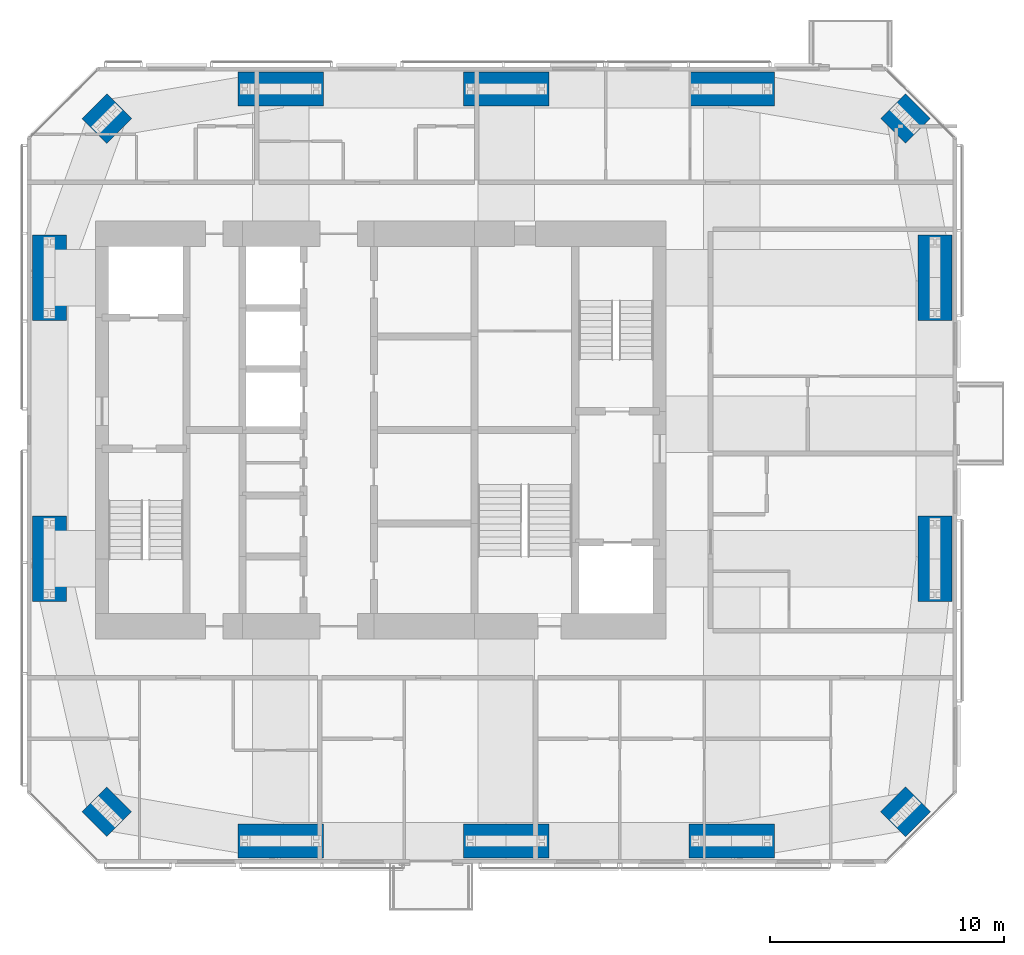
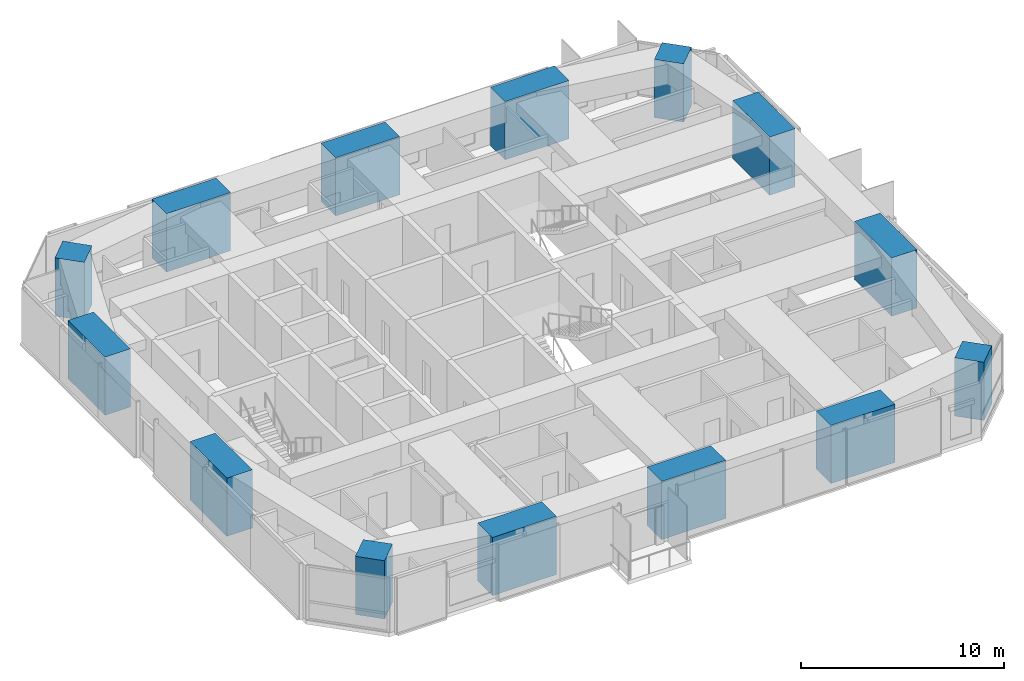
# One storey, part 1 of 18: 14 columns.
"""IFC4 building model written with IfcOpenShell, lengths in metres."""

from ifc_helpers import new_model, si_unit, direction, frame, origin, origin_2d, place, context, subcontext, project, spatial, rectangle, extrude, material, material_profile, profile_set, type_object, element, save


model = new_model("IFC4")

# Units and contexts
model_context = context("Model", 3, precision=1e-05, world=origin(), true_north=direction((0.0, 1.0)))
body_context = subcontext(model_context, "Body", "Model", "MODEL_VIEW")
ifc_project = project(units=[si_unit("LENGTHUNIT", "METRE"), si_unit("AREAUNIT", "SQUARE_METRE"), si_unit("VOLUMEUNIT", "CUBIC_METRE"), si_unit("PLANEANGLEUNIT", "RADIAN"), si_unit("MASSUNIT", "GRAM", prefix="KILO")], contexts=[model_context])

# Site, building, storey
site_placement = place(None, origin())
site = spatial("IfcSite", under=ifc_project, at=site_placement, CompositionType="ELEMENT")
building_placement = place(site_placement, origin())
building = spatial("IfcBuilding", under=site, at=building_placement, Name="Jalousie Tower", CompositionType="ELEMENT")
storey_placement = place(building_placement, frame((0.0, 0.0, 231.949951171875)))
storey = spatial("IfcBuildingStorey", under=building, at=storey_placement, Name="L63", CompositionType="ELEMENT", Elevation=231.949951171875)

# Columns
ifc_material_1 = material(Name="Concrete f'c 120 MPa", Category="concrete")
ifc_material_profile_1 = material_profile(ifc_material_1, rectangle(XDim=1.449951171875, YDim=3.64990234375, at=origin_2d()), Name="RC 1450x3650")
ifc_profile_set_1 = profile_set([ifc_material_profile_1], Name="Concrete f'c 120 MPa")
column_type_1 = type_object("IfcColumnType", Name="RC COLUMN 1450x3650", PredefinedType="COLUMN", material=ifc_profile_set_1)
for number, where, z_axis, x_axis, name in (
    (1, (27.625, 0.949951171875, 0.0), (0.0, 0.0, 1.0), (0.0, 1.0, 0.0), "Column 02 L63"),
    (2, (37.25, 0.949951171875, 0.0), (0.0, 0.0, 1.0), (0.0, 1.0, 0.0), "Column 03 L63"),
    (3, (46.875, 0.949951171875, 0.0), (0.0, 0.0, 1.0), (0.0, 1.0, 0.0), "Column 04 L63"),
    (4, (55.550048828125, 13.0, 0.0), (0.0, 0.0, 1.0), (1.0, 0.0, 0.0), "Column 06 L63"),
    (5, (55.550048828125, 25.0, 0.0), (0.0, 0.0, 1.0), (1.0, 0.0, 0.0), "Column 07 L63"),
    (6, (46.875, 33.050048828125, 0.0), (0.0, 0.0, 1.0), (0.0, 1.0, 0.0), "Column 09 L63"),
    (7, (37.25, 33.050048828125, 0.0), (0.0, 0.0, 1.0), (0.0, 1.0, 0.0), "Column 10 L63"),
    (8, (27.625, 33.050048828125, 0.0), (0.0, 0.0, 1.0), (0.0, 1.0, 0.0), "Column 11 L63"),
    (9, (17.75, 25.0, 0.0), (0.0, 0.0, 1.0), (1.0, 0.0, 0.0), "Column 13 L63"),
    (10, (17.75, 13.0, 0.0), (0.0, 0.0, 1.0), (1.0, 0.0, 0.0), "Column 14 L63"),
):
    element("IfcColumn", number, at=place(storey_placement, frame(where, z_axis=z_axis, x_axis=x_axis)), inside=storey, type_object=column_type_1, Name=name, PredefinedType="COLUMN", context=body_context, shape_type="SweptSolid", body=[
        extrude(rectangle(XDim=1.449951171875, YDim=3.64990234375, at=origin_2d()), origin(), (0.0, 0.0, 1.0), 3.5),
    ])
ifc_material_2 = material(Name="Concrete f'c 120 MPa", Category="concrete")
ifc_material_profile_2 = material_profile(ifc_material_2, rectangle(XDim=1.5, YDim=1.5, at=origin_2d()), Name="RC 1500x1500")
ifc_profile_set_2 = profile_set([ifc_material_profile_2], Name="Concrete f'c 120 MPa")
column_type_2 = type_object("IfcColumnType", Name="RC COLUMN 1500x1500", PredefinedType="COLUMN", material=ifc_profile_set_2)
for number, where, z_axis, x_axis, name in (
    (11, (20.20703125, 2.20703125, 0.0), (0.0, 0.0, 1.0), (0.707106781187, 0.707106781187, 0.0), "Column 01 L63"),
    (12, (54.29296875, 2.20703125, 0.0), (0.0, 0.0, 1.0), (0.707106781187, 0.707106781187, 0.0), "Column 05 L63"),
    (13, (54.29296875, 31.79296875, 0.0), (0.0, 0.0, 1.0), (0.707106781187, 0.707106781187, 0.0), "Column 08 L63"),
    (14, (20.20703125, 31.79296875, 0.0), (0.0, 0.0, 1.0), (0.707106781187, 0.707106781187, 0.0), "Column 12 L63"),
):
    element("IfcColumn", number, at=place(storey_placement, frame(where, z_axis=z_axis, x_axis=x_axis)), inside=storey, type_object=column_type_2, Name=name, PredefinedType="COLUMN", context=body_context, shape_type="SweptSolid", body=[
        extrude(rectangle(XDim=1.5, YDim=1.5, at=origin_2d()), origin(), (0.0, 0.0, 1.0), 3.5),
    ])

save(model, "model.ifc")
